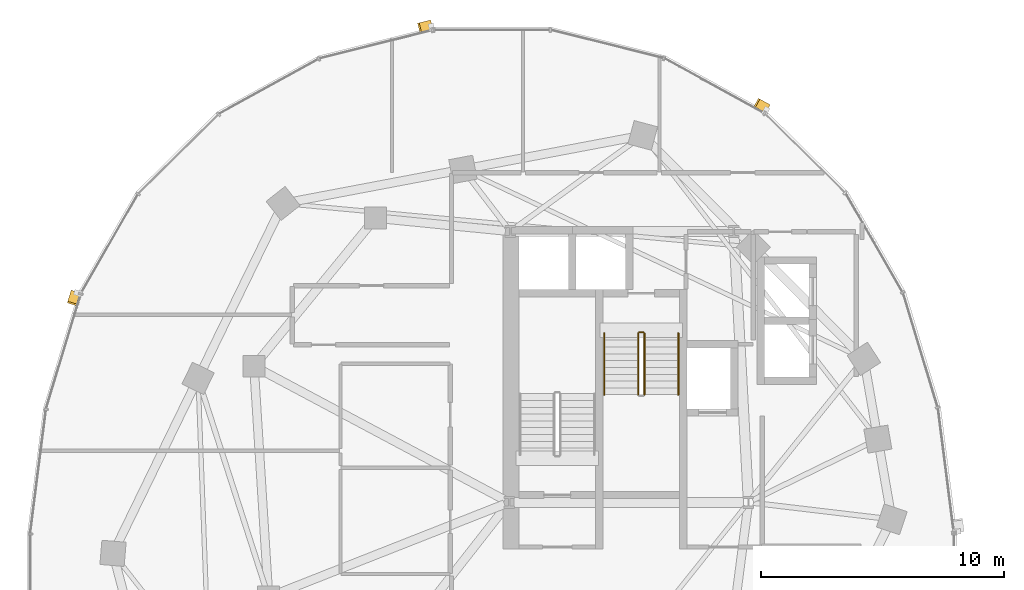
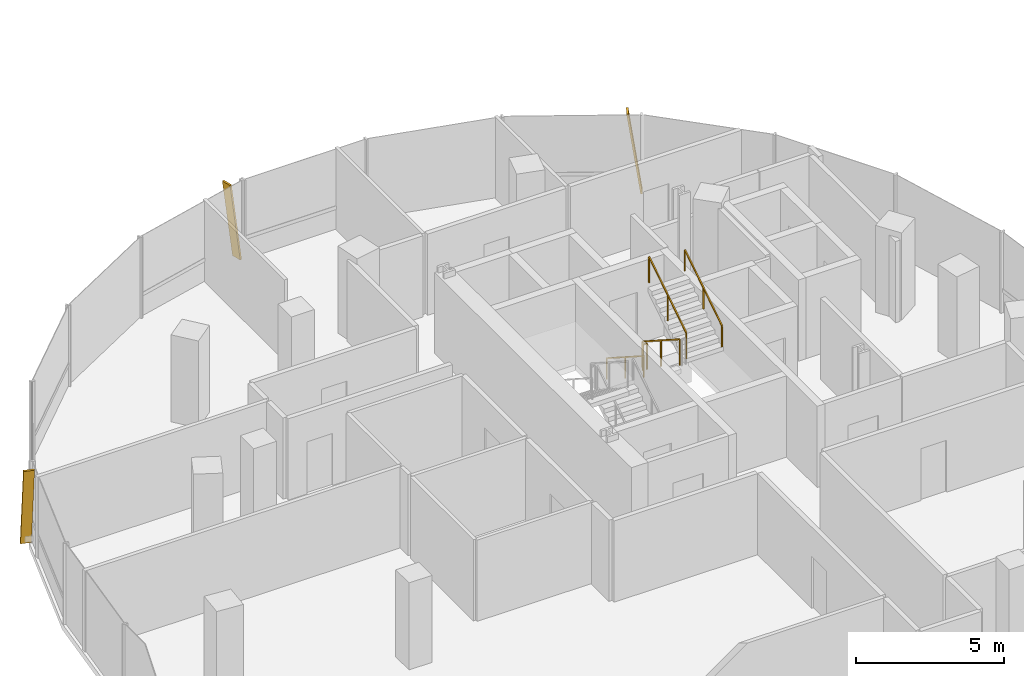
# One storey, part 20 of 22: 5 railings, 3 shading devices.
"""IFC4 building model written with IfcOpenShell, lengths in metres."""

from ifc_helpers import new_model, si_unit, direction, frame, origin, origin_2d, place, context, subcontext, project, spatial, rectangle, extrude, material, material_profile, profile_set, type_object, element, save


model = new_model("IFC4")

# Units and contexts
model_context = context("Model", 3, precision=1e-05, world=origin(), true_north=direction((0.0, 1.0)))
body_context = subcontext(model_context, "Body", "Model", "MODEL_VIEW")
ifc_project = project(units=[si_unit("LENGTHUNIT", "METRE"), si_unit("AREAUNIT", "SQUARE_METRE"), si_unit("VOLUMEUNIT", "CUBIC_METRE"), si_unit("PLANEANGLEUNIT", "RADIAN"), si_unit("MASSUNIT", "GRAM", prefix="KILO"), si_unit("THERMODYNAMICTEMPERATUREUNIT", "KELVIN"), si_unit("POWERUNIT", "WATT")], contexts=[model_context])

# Site, building, storey
site_placement = place(None, origin())
site = spatial("IfcSite", under=ifc_project, at=site_placement, CompositionType="ELEMENT")
building_placement = place(site_placement, origin())
building = spatial("IfcBuilding", under=site, at=building_placement, Name="Cundina Bronze Exchange", CompositionType="ELEMENT")
storey_placement = place(building_placement, frame((0.0, 0.0, 158.39990234375)))
storey = spatial("IfcBuildingStorey", under=building, at=storey_placement, Name="L41", CompositionType="ELEMENT", Elevation=158.39990234375)

# Railings
ifc_material_1 = material(Name="Steel ASTM A36 Painted", Category="steel")
railing_type_1 = type_object("IfcRailingType", Name="RLG-HND-900", PredefinedType="HANDRAIL", material=ifc_material_1)
railing_1_placement = place(storey_placement, frame((-27.389892578125, 10.85009765625, 0.18017578125)))
element("IfcRailing", 1, at=railing_1_placement, inside=storey, type_object=railing_type_1, Name="L41 ST-W2 stair handrail 1", PredefinedType="HANDRAIL", context=body_context, shape_type="SweptSolid", body=[
    extrude(rectangle(XDim=0.048095703125, YDim=0.048095703125, at=origin_2d()), frame((0.0, 0.0, 0.8759765625), z_axis=(0.0, -0.841199657755, 0.540724639528), x_axis=(1.0, 0.0, 0.0)), (0.0, 0.0, 1.0), 2.995849609375),
    extrude(rectangle(XDim=0.0419921875, YDim=0.0419921875, at=origin_2d()), origin(), (0.0, 0.0, 1.0), 0.851806640625),
    extrude(rectangle(XDim=0.0419921875, YDim=0.0419921875, at=origin_2d()), frame((0.0, -1.260009765625, 0.81005859375)), (0.0, 0.0, 1.0), 0.851806640625),
    extrude(rectangle(XDim=0.0419921875, YDim=0.0419921875, at=origin_2d()), frame((0.0, -2.52001953125, 1.619873046875)), (0.0, 0.0, 1.0), 0.851806640625),
])
railing_2_placement = place(storey_placement, frame((-24.330078125, 8.330078125, 1.97998046875)))
element("IfcRailing", 2, at=railing_2_placement, inside=storey, type_object=railing_type_1, Name="L41 ST-W2 stair handrail 2", PredefinedType="HANDRAIL", context=body_context, shape_type="SweptSolid", body=[
    extrude(rectangle(XDim=0.048095703125, YDim=0.048095703125, at=origin_2d()), frame((0.0, 0.0, 0.8759765625), z_axis=(0.0, 0.841162588446, 0.540782303519), x_axis=(-1.0, 0.0, 0.0)), (0.0, 0.0, 1.0), 2.995849609375),
    extrude(rectangle(XDim=0.0419921875, YDim=0.0419921875, at=origin_2d()), origin(), (0.0, 0.0, 1.0), 0.851806640625),
    extrude(rectangle(XDim=0.0419921875, YDim=0.0419921875, at=origin_2d()), frame((0.0, 1.260009765625, 0.81005859375)), (0.0, 0.0, 1.0), 0.851806640625),
    extrude(rectangle(XDim=0.0419921875, YDim=0.0419921875, at=origin_2d()), frame((0.0, 2.52001953125, 1.6201171875)), (0.0, 0.0, 1.0), 0.851806640625),
])
railing_type_2 = type_object("IfcRailingType", Name="RLG-STG-1100", PredefinedType="GUARDRAIL", material=ifc_material_1)
railing_3_placement = place(storey_placement, frame((-25.989990234375, 10.85009765625, 0.18017578125)))
element("IfcRailing", 3, at=railing_3_placement, inside=storey, type_object=railing_type_2, Name="L41 ST-W2 stair guard 1", PredefinedType="GUARDRAIL", context=body_context, shape_type="SweptSolid", body=[
    extrude(rectangle(XDim=0.048095703125, YDim=0.048095703125, at=origin_2d()), frame((0.0, 0.0, 1.076171875), z_axis=(0.0, -0.841199657755, 0.540724639528), x_axis=(1.0, 0.0, 0.0)), (0.0, 0.0, 1.0), 2.995849609375),
    extrude(rectangle(XDim=0.0419921875, YDim=0.0419921875, at=origin_2d()), origin(), (0.0, 0.0, 1.0), 1.052001953125),
    extrude(rectangle(XDim=0.0419921875, YDim=0.0419921875, at=origin_2d()), frame((0.0, -1.260009765625, 0.81005859375)), (0.0, 0.0, 1.0), 1.052001953125),
    extrude(rectangle(XDim=0.0419921875, YDim=0.0419921875, at=origin_2d()), frame((0.0, -2.52001953125, 1.619873046875)), (0.0, 0.0, 1.0), 1.052001953125),
])
railing_4_placement = place(storey_placement, frame((-25.72998046875, 8.330078125, 1.97998046875)))
element("IfcRailing", 4, at=railing_4_placement, inside=storey, type_object=railing_type_2, Name="L41 ST-W2 stair guard 3", PredefinedType="GUARDRAIL", context=body_context, shape_type="SweptSolid", body=[
    extrude(rectangle(XDim=0.048095703125, YDim=0.048095703125, at=origin_2d()), frame((0.0, 0.0, 1.076171875), z_axis=(0.0, 0.841162588446, 0.540782303519), x_axis=(-1.0, 0.0, 0.0)), (0.0, 0.0, 1.0), 2.995849609375),
    extrude(rectangle(XDim=0.0419921875, YDim=0.0419921875, at=origin_2d()), origin(), (0.0, 0.0, 1.0), 1.052001953125),
    extrude(rectangle(XDim=0.0419921875, YDim=0.0419921875, at=origin_2d()), frame((0.0, 1.260009765625, 0.81005859375)), (0.0, 0.0, 1.0), 1.052001953125),
    extrude(rectangle(XDim=0.0419921875, YDim=0.0419921875, at=origin_2d()), frame((0.0, 2.52001953125, 1.6201171875)), (0.0, 0.0, 1.0), 1.052001953125),
])
railing_5_placement = place(storey_placement, frame((-25.93994140625, 10.89990234375, 0.0)))
element("IfcRailing", 5, at=railing_5_placement, inside=storey, type_object=railing_type_2, Name="L41 ST-W2 stair guard 4", PredefinedType="GUARDRAIL", context=body_context, shape_type="SweptSolid", body=[
    extrude(rectangle(XDim=0.048095703125, YDim=0.048095703125, at=origin_2d()), frame((0.0, 0.0, 1.076171875), z_axis=(1.0, 0.0, 0.0), x_axis=(0.0, 1.0, 0.0)), (0.0, 0.0, 1.0), 0.159912109375),
    extrude(rectangle(XDim=0.0419921875, YDim=0.0419921875, at=origin_2d()), origin(), (0.0, 0.0, 1.0), 1.052001953125),
    extrude(rectangle(XDim=0.0419921875, YDim=0.0419921875, at=origin_2d()), frame((0.159912109375, 0.0, 0.0)), (0.0, 0.0, 1.0), 1.052001953125),
])

# Shading devices
ifc_material_2 = material(Name="Anodised Bronze Aluminium 6063-T6", Category="aluminium")
ifc_material_profile = material_profile(ifc_material_2, rectangle(XDim=0.070068359375, YDim=0.3798828125, at=origin_2d()), Name="FIN70X380", Category="aluminium")
ifc_profile_set = profile_set([ifc_material_profile], Name="Anodised Bronze Aluminium 6063-T6")
shading_device_type = type_object("IfcShadingDeviceType", Name="SHD-FIN-BRZ380", PredefinedType="USERDEFINED", material=ifc_profile_set)
for number, where, z_axis, x_axis, name in (
    (6, (-20.679931640625, 20.11181640625, 0.02001953125), (-0.125324460949, 0.068993954111, 0.989713905017), (0.867011652888, -0.477309551067, 0.143060778049), "L41 Diagonal Bronze Solar Fin 5"),
    (7, (-34.51953125, 23.556396484375, 0.02001953125), (-0.138788401144, -0.034715294885, 0.989713407007), (0.960133415413, 0.240159223467, 0.14306422331), "L41 Diagonal Bronze Solar Fin 1"),
    (8, (-49.151123046875, 12.5439453125, 0.02001953125), (-0.041483395017, -0.136967981441, 0.989706471636), (0.286882504107, 0.947215566191, 0.143112193758), "L41 Diagonal Bronze Solar Fin 5"),
):
    element("IfcShadingDevice", number, at=place(storey_placement, frame(where, z_axis=z_axis, x_axis=x_axis)), inside=storey, type_object=shading_device_type, Name=name, ObjectType="FIN", PredefinedType="USERDEFINED", context=body_context, shape_type="SweptSolid", body=[
        extrude(rectangle(XDim=0.070068359375, YDim=0.3798828125, at=origin_2d()), origin(), (0.0, 0.0, 1.0), 3.3544921875),
    ])

save(model, "model.ifc")
